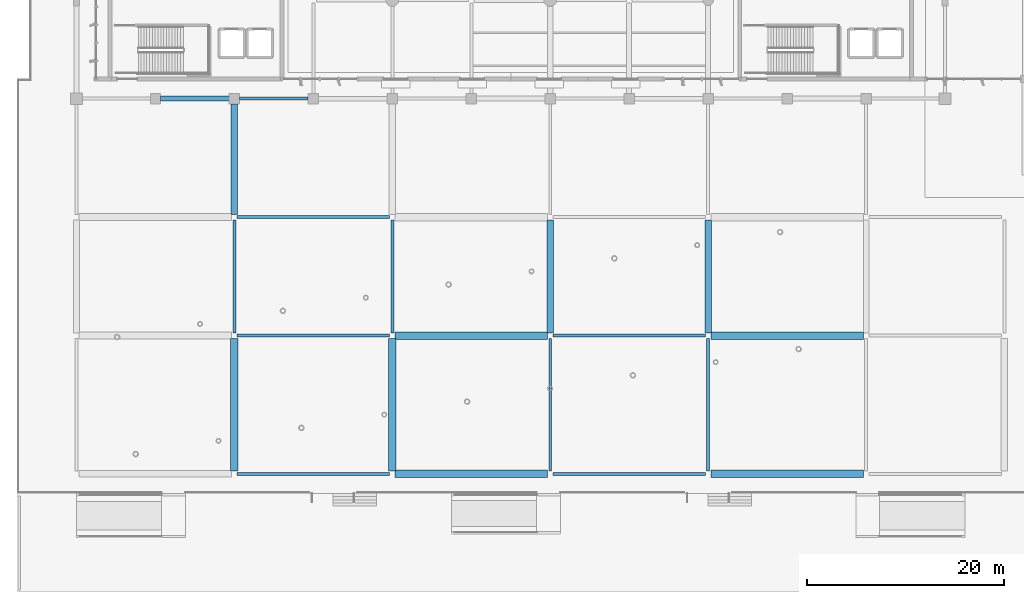
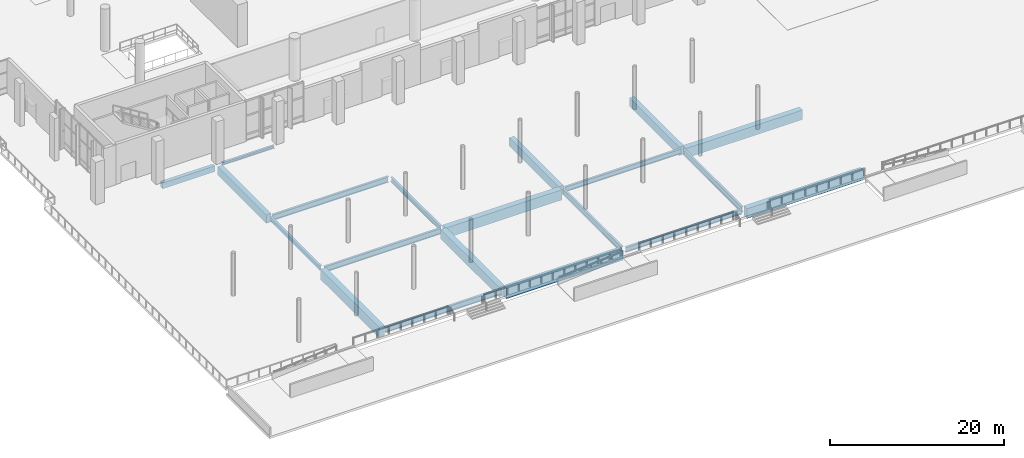
# One storey, part 35 of 163: 20 beams.
"""IFC4 building model written with IfcOpenShell, lengths in metres."""

from ifc_helpers import new_model, si_unit, direction, frame, origin, origin_2d, place, context, subcontext, project, spatial, rectangle, i_section, extrude, material, material_profile, profile_set, type_object, element, save


model = new_model("IFC4")

# Units and contexts
model_context = context("Model", 3, precision=1e-05, world=origin(), true_north=direction((0.0, 1.0)))
body_context = subcontext(model_context, "Body", "Model", "MODEL_VIEW")
ifc_project = project(units=[si_unit("LENGTHUNIT", "METRE"), si_unit("AREAUNIT", "SQUARE_METRE"), si_unit("VOLUMEUNIT", "CUBIC_METRE"), si_unit("PLANEANGLEUNIT", "RADIAN"), si_unit("MASSUNIT", "GRAM", prefix="KILO")], contexts=[model_context])

# Site, building, storey
site_placement = place(None, origin())
site = spatial("IfcSite", under=ifc_project, at=site_placement, CompositionType="ELEMENT")
building_placement = place(site_placement, origin())
building = spatial("IfcBuilding", under=site, at=building_placement, Name="Khorjan Park Terminus", CompositionType="ELEMENT")
storey_placement = place(building_placement, origin())
storey = spatial("IfcBuildingStorey", under=building, at=storey_placement, Name="L00", CompositionType="ELEMENT", Elevation=0.0)

# Beams
ifc_material_1 = material(Name="Steel S355", Category="steel")
ifc_material_profile_1 = material_profile(ifc_material_1, i_section(OverallWidth=0.3, OverallDepth=0.39, WebThickness=0.011, FlangeThickness=0.019, FilletRadius=0.027, at=origin_2d()), Name="HEA 400")
ifc_profile_set_1 = profile_set([ifc_material_profile_1], Name="Steel S355")
beam_type_1 = type_object("IfcBeamType", Name="BM-HEA400", PredefinedType="BEAM", material=ifc_profile_set_1)
beam_1_placement = place(storey_placement, frame((64.52, 26.0, -0.515), z_axis=(1.0, 0.0, 0.0), x_axis=(0.0, 1.0, 0.0)))
element("IfcBeam", 1, at=beam_1_placement, inside=storey, type_object=beam_type_1, Name="Primary floor girder SB-A40 (L00)", PredefinedType="BEAM", context=body_context, shape_type="SweptSolid", body=[
    extrude(i_section(OverallWidth=0.3, OverallDepth=0.39, WebThickness=0.011, FlangeThickness=0.019, FilletRadius=0.027, at=origin_2d()), origin(), (0.0, 0.0, 1.0), 6.96),
])
ifc_material_profile_2 = material_profile(ifc_material_1, i_section(OverallWidth=0.3, OverallDepth=0.59, WebThickness=0.013, FlangeThickness=0.025, FilletRadius=0.027, at=origin_2d()), Name="HEA 600")
ifc_profile_set_2 = profile_set([ifc_material_profile_2], Name="Steel S355")
beam_type_2 = type_object("IfcBeamType", Name="BM-HEA600", PredefinedType="BEAM", material=ifc_profile_set_2)
beam_2_placement = place(storey_placement, frame((64.0, 2.27, -0.615), z_axis=(0.0, 1.0, 0.0), x_axis=(-1.0, 0.0, 0.0)))
element("IfcBeam", 2, at=beam_2_placement, inside=storey, type_object=beam_type_2, Name="Primary floor girder SB-A60 (L00)", PredefinedType="BEAM", context=body_context, shape_type="SweptSolid", body=[
    extrude(i_section(OverallWidth=0.3, OverallDepth=0.59, WebThickness=0.013, FlangeThickness=0.025, FilletRadius=0.027, at=origin_2d()), origin(), (0.0, 0.0, 1.0), 11.46),
])
ifc_material_profile_3 = material_profile(ifc_material_1, i_section(OverallWidth=0.3, OverallDepth=0.64, WebThickness=0.0135, FlangeThickness=0.026, FilletRadius=0.027, at=origin_2d()), Name="HEA 650")
ifc_profile_set_3 = profile_set([ifc_material_profile_3], Name="Steel S355")
beam_type_3 = type_object("IfcBeamType", Name="BM-HEA650", PredefinedType="BEAM", material=ifc_profile_set_3)
beam_3_placement = place(storey_placement, frame((80.0, 2.27, -0.64), z_axis=(0.0, 1.0, 0.0), x_axis=(-1.0, 0.0, 0.0)))
element("IfcBeam", 3, at=beam_3_placement, inside=storey, type_object=beam_type_3, Name="Primary floor girder SB-A65 (L00)", PredefinedType="BEAM", context=body_context, shape_type="SweptSolid", body=[
    extrude(i_section(OverallWidth=0.3, OverallDepth=0.64, WebThickness=0.0135, FlangeThickness=0.026, FilletRadius=0.027, at=origin_2d()), origin(), (0.0, 0.0, 1.0), 11.46),
])
ifc_material_profile_4 = material_profile(ifc_material_1, i_section(OverallWidth=0.3, OverallDepth=0.69, WebThickness=0.0145, FlangeThickness=0.027, FilletRadius=0.027, at=origin_2d()), Name="HEA 700")
ifc_profile_set_4 = profile_set([ifc_material_profile_4], Name="Steel S355")
beam_type_4 = type_object("IfcBeamType", Name="BM-HEA700", PredefinedType="BEAM", material=ifc_profile_set_4)
for number, where, z_axis, x_axis, name in (
    (4, (96.27, -12.0, -0.665), (1.0, 0.0, 0.0), (0.0, 1.0, 0.0), "Primary floor girder SB-A70 (L00)"),
    (5, (96.27, 2.0, -0.665), (1.0, 0.0, 0.0), (0.0, 1.0, 0.0), "Primary floor girder SB-A70 (L00)"),
):
    element("IfcBeam", number, at=place(storey_placement, frame(where, z_axis=z_axis, x_axis=x_axis)), inside=storey, type_object=beam_type_4, Name=name, PredefinedType="BEAM", context=body_context, shape_type="SweptSolid", body=[
        extrude(i_section(OverallWidth=0.3, OverallDepth=0.69, WebThickness=0.0145, FlangeThickness=0.027, FilletRadius=0.027, at=origin_2d()), origin(), (0.0, 0.0, 1.0), 15.46),
    ])
ifc_material_profile_5 = material_profile(ifc_material_1, i_section(OverallWidth=0.3, OverallDepth=0.79, WebThickness=0.015, FlangeThickness=0.028, FilletRadius=0.03, at=origin_2d()), Name="HEA 800")
ifc_profile_set_5 = profile_set([ifc_material_profile_5], Name="Steel S355")
beam_type_5 = type_object("IfcBeamType", Name="BM-HEA800", PredefinedType="BEAM", material=ifc_profile_set_5)
for number, where, z_axis, x_axis, name in (
    (6, (64.27, -12.0, -0.715), (1.0, 0.0, 0.0), (0.0, 1.0, 0.0), "Primary floor girder SB-A80 (L00)"),
    (7, (64.27, 2.0, -0.715), (1.0, 0.0, 0.0), (0.0, 1.0, 0.0), "Primary floor girder SB-A80 (L00)"),
    (8, (64.27, 14.0, -0.715), (1.0, 0.0, 0.0), (0.0, 1.0, 0.0), "Primary floor girder SB-A80 (L00)"),
):
    element("IfcBeam", number, at=place(storey_placement, frame(where, z_axis=z_axis, x_axis=x_axis)), inside=storey, type_object=beam_type_5, Name=name, PredefinedType="BEAM", context=body_context, shape_type="SweptSolid", body=[
        extrude(i_section(OverallWidth=0.3, OverallDepth=0.79, WebThickness=0.015, FlangeThickness=0.028, FilletRadius=0.03, at=origin_2d()), origin(), (0.0, 0.0, 1.0), 15.46),
    ])
ifc_material_profile_6 = material_profile(ifc_material_1, i_section(OverallWidth=0.3, OverallDepth=0.8, WebThickness=0.0175, FlangeThickness=0.033, FilletRadius=0.03, at=origin_2d()), Name="HEB 800")
ifc_profile_set_6 = profile_set([ifc_material_profile_6], Name="Steel S355")
beam_type_6 = type_object("IfcBeamType", Name="BM-HEB800", PredefinedType="BEAM", material=ifc_profile_set_6)
for number, where, z_axis, x_axis, name in (
    (9, (96.0, -11.73, -0.72), (0.0, 1.0, 0.0), (-1.0, 0.0, 0.0), "Primary floor girder SB-B80 (L00)"),
    (10, (112.0, -11.73, -0.72), (0.0, 1.0, 0.0), (-1.0, 0.0, 0.0), "Primary floor girder SB-B80 (L00)"),
):
    element("IfcBeam", number, at=place(storey_placement, frame(where, z_axis=z_axis, x_axis=x_axis)), inside=storey, type_object=beam_type_6, Name=name, PredefinedType="BEAM", context=body_context, shape_type="SweptSolid", body=[
        extrude(i_section(OverallWidth=0.3, OverallDepth=0.8, WebThickness=0.0175, FlangeThickness=0.033, FilletRadius=0.03, at=origin_2d()), origin(), (0.0, 0.0, 1.0), 13.46),
    ])
ifc_material_2 = material(Name="Concrete C40/50", Category="concrete")
ifc_material_profile_7 = material_profile(ifc_material_2, rectangle(XDim=0.5, YDim=0.8, at=origin_2d()), Name="RC 500x800")
ifc_profile_set_7 = profile_set([ifc_material_profile_7], Name="Concrete C40/50")
beam_type_7 = type_object("IfcBeamType", Name="BM-RC500x800", PredefinedType="BEAM", material=ifc_profile_set_7)
beam_4_placement = place(storey_placement, frame((56.52, 26.0, -0.72), z_axis=(1.0, 0.0, 0.0), x_axis=(0.0, 1.0, 0.0)))
element("IfcBeam", 11, at=beam_4_placement, inside=storey, type_object=beam_type_7, Name="Primary floor girder GB-08 (L00)", PredefinedType="BEAM", context=body_context, shape_type="SweptSolid", body=[
    extrude(rectangle(XDim=0.5, YDim=0.8, at=origin_2d()), origin(), (0.0, 0.0, 1.0), 6.96),
])
ifc_material_profile_8 = material_profile(ifc_material_2, rectangle(XDim=0.65, YDim=1.2, at=origin_2d()), Name="RC 650x1200")
ifc_profile_set_8 = profile_set([ifc_material_profile_8], Name="Concrete C40/50")
beam_type_8 = type_object("IfcBeamType", Name="BM-RC650x1200", PredefinedType="BEAM", material=ifc_profile_set_8)
beam_5_placement = place(storey_placement, frame((64.0, 14.27, -0.92), z_axis=(0.0, 1.0, 0.0), x_axis=(-1.0, 0.0, 0.0)))
element("IfcBeam", 12, at=beam_5_placement, inside=storey, type_object=beam_type_8, Name="Primary floor girder GB-12 (L00)", PredefinedType="BEAM", context=body_context, shape_type="SweptSolid", body=[
    extrude(rectangle(XDim=0.65, YDim=1.2, at=origin_2d()), origin(), (0.0, 0.0, 1.0), 11.21),
])
for number, where, z_axis, x_axis, name in (
    (13, (96.0, 2.27, -0.92), (0.0, 1.0, 0.0), (-1.0, 0.0, 0.0), "Primary floor girder GB-12 (L00)"),
    (14, (112.0, 2.27, -0.92), (0.0, 1.0, 0.0), (-1.0, 0.0, 0.0), "Primary floor girder GB-12 (L00)"),
):
    element("IfcBeam", number, at=place(storey_placement, frame(where, z_axis=z_axis, x_axis=x_axis)), inside=storey, type_object=beam_type_8, Name=name, PredefinedType="BEAM", context=body_context, shape_type="SweptSolid", body=[
        extrude(rectangle(XDim=0.65, YDim=1.2, at=origin_2d()), origin(), (0.0, 0.0, 1.0), 11.46),
    ])
ifc_material_3 = material(Name="Concrete C50/60", Category="concrete")
ifc_material_profile_9 = material_profile(ifc_material_3, rectangle(XDim=0.75, YDim=1.35, at=origin_2d()), Name="RC 750x1350")
ifc_profile_set_9 = profile_set([ifc_material_profile_9], Name="Concrete C50/60")
beam_type_9 = type_object("IfcBeamType", Name="BM-RC750x1350", PredefinedType="BEAM", material=ifc_profile_set_9)
for number, where, z_axis, x_axis, name in (
    (15, (112.27, -12.0, -0.995), (1.0, 0.0, 0.0), (0.0, 1.0, 0.0), "Primary floor girder GB-13 (L00)"),
    (16, (112.27, 2.0, -0.995), (1.0, 0.0, 0.0), (0.0, 1.0, 0.0), "Primary floor girder GB-13 (L00)"),
):
    element("IfcBeam", number, at=place(storey_placement, frame(where, z_axis=z_axis, x_axis=x_axis)), inside=storey, type_object=beam_type_9, Name=name, PredefinedType="BEAM", context=body_context, shape_type="SweptSolid", body=[
        extrude(rectangle(XDim=0.75, YDim=1.35, at=origin_2d()), origin(), (0.0, 0.0, 1.0), 15.46),
    ])
beam_6_placement = place(storey_placement, frame((80.0, -11.73, -0.995), z_axis=(0.0, 1.0, 0.0), x_axis=(-1.0, 0.0, 0.0)))
element("IfcBeam", 17, at=beam_6_placement, inside=storey, type_object=beam_type_9, Name="Primary floor girder GB-13 (L00)", PredefinedType="BEAM", context=body_context, shape_type="SweptSolid", body=[
    extrude(rectangle(XDim=0.75, YDim=1.35, at=origin_2d()), origin(), (0.0, 0.0, 1.0), 13.46),
])
ifc_material_profile_10 = material_profile(ifc_material_3, rectangle(XDim=0.75, YDim=1.45, at=origin_2d()), Name="RC 750x1450")
ifc_profile_set_10 = profile_set([ifc_material_profile_10], Name="Concrete C50/60")
beam_type_10 = type_object("IfcBeamType", Name="BM-RC750x1450", PredefinedType="BEAM", material=ifc_profile_set_10)
for number, where, z_axis, x_axis, name in (
    (18, (80.27, -12.0, -1.045), (1.0, 0.0, 0.0), (0.0, 1.0, 0.0), "Primary floor girder GB-14 (L00)"),
    (19, (80.27, 2.0, -1.045), (1.0, 0.0, 0.0), (0.0, 1.0, 0.0), "Primary floor girder GB-14 (L00)"),
):
    element("IfcBeam", number, at=place(storey_placement, frame(where, z_axis=z_axis, x_axis=x_axis)), inside=storey, type_object=beam_type_10, Name=name, PredefinedType="BEAM", context=body_context, shape_type="SweptSolid", body=[
        extrude(rectangle(XDim=0.75, YDim=1.45, at=origin_2d()), origin(), (0.0, 0.0, 1.0), 15.46),
    ])
beam_7_placement = place(storey_placement, frame((64.0, -11.73, -1.045), z_axis=(0.0, 1.0, 0.0), x_axis=(-1.0, 0.0, 0.0)))
element("IfcBeam", 20, at=beam_7_placement, inside=storey, type_object=beam_type_10, Name="Primary floor girder GB-14 (L00)", PredefinedType="BEAM", context=body_context, shape_type="SweptSolid", body=[
    extrude(rectangle(XDim=0.75, YDim=1.45, at=origin_2d()), origin(), (0.0, 0.0, 1.0), 13.46),
])

save(model, "model.ifc")
